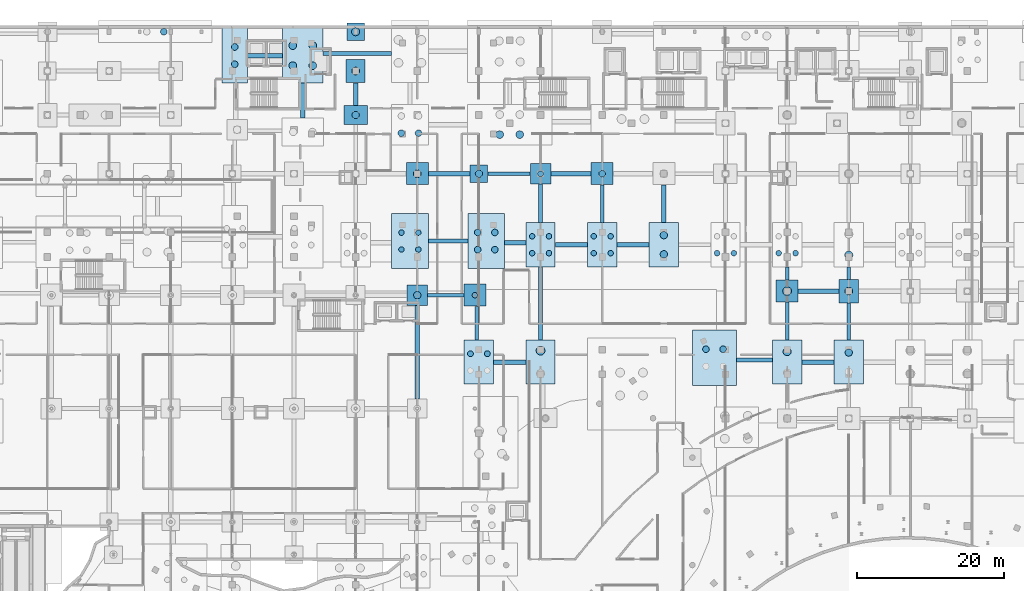
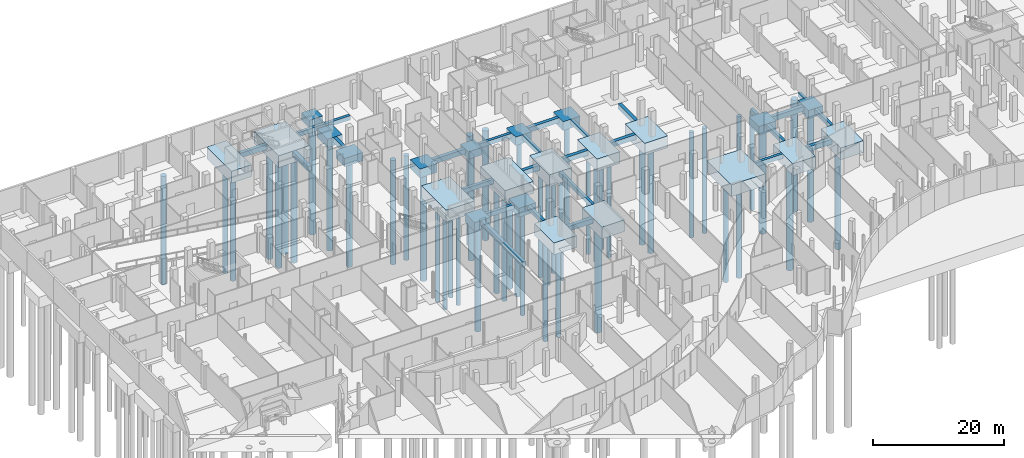
# One storey, part 5 of 45: 52 piles, 49 footings.
"""IFC4 building model written with IfcOpenShell, lengths in metres."""

from ifc_helpers import new_model, si_unit, direction, frame, origin, origin_2d, place, context, subcontext, project, spatial, rectangle, circle, extrude, material, material_profile, profile_set, type_object, element, save


model = new_model("IFC4")

# Units and contexts
model_context = context("Model", 3, precision=1e-05, world=origin(), true_north=direction((0.0, 1.0)))
body_context = subcontext(model_context, "Body", "Model", "MODEL_VIEW")
ifc_project = project(units=[si_unit("LENGTHUNIT", "METRE"), si_unit("AREAUNIT", "SQUARE_METRE"), si_unit("VOLUMEUNIT", "CUBIC_METRE"), si_unit("PLANEANGLEUNIT", "RADIAN"), si_unit("MASSUNIT", "GRAM", prefix="KILO")], contexts=[model_context])

# Site, building, storey
site_placement = place(None, origin())
site = spatial("IfcSite", under=ifc_project, at=site_placement, CompositionType="ELEMENT")
building_placement = place(site_placement, origin())
building = spatial("IfcBuilding", under=site, at=building_placement, Name="Selatvlak General Hospital", CompositionType="ELEMENT")
storey_placement = place(building_placement, frame((0.0, 0.0, -4.800048828125)))
storey = spatial("IfcBuildingStorey", under=building, at=storey_placement, Name="B1", CompositionType="ELEMENT", Elevation=-4.800048828125)

# Footings
ifc_material_1 = material(Name="Concrete C40/50", Category="concrete")
footing_type_1 = type_object("IfcFootingType", Name="FTG-PC-01", PredefinedType="PILE_CAP", material=ifc_material_1)
for number, where, z_axis, x_axis, name in (
    (1, (64.800048828125, 119.35009765625, -1.39990234375), (0.0, 0.0, 1.0), (1.0, 0.0, 0.0), "Pile cap CAP-078"),
    (2, (81.60009765625, 100.0, -1.39990234375), (0.0, 0.0, 1.0), (1.0, 0.0, 0.0), "Pile cap CAP-096"),
):
    element("IfcFooting", number, at=place(storey_placement, frame(where, z_axis=z_axis, x_axis=x_axis)), inside=storey, type_object=footing_type_1, Name=name, PredefinedType="PILE_CAP", context=body_context, shape_type="SweptSolid", body=[
        extrude(rectangle(XDim=2.39990234375, YDim=2.39990234375, at=origin_2d()), origin(), (0.0, 0.0, 1.0), 1.39990234375),
    ])
footing_type_2 = type_object("IfcFootingType", Name="FTG-PC-03", PredefinedType="PILE_CAP", material=ifc_material_1)
for number, where, z_axis, x_axis, name in (
    (3, (73.199951171875, 83.449951171875, -1.60009765625), (0.0, 0.0, 1.0), (1.0, 0.0, 0.0), "Pile cap CAP-086"),
    (4, (90.0, 100.0, -1.60009765625), (0.0, 0.0, 1.0), (1.0, 0.0, 0.0), "Pile cap CAP-104"),
):
    element("IfcFooting", number, at=place(storey_placement, frame(where, z_axis=z_axis, x_axis=x_axis)), inside=storey, type_object=footing_type_2, Name=name, PredefinedType="PILE_CAP", context=body_context, shape_type="SweptSolid", body=[
        extrude(rectangle(XDim=2.800048828125, YDim=2.800048828125, at=origin_2d()), origin(), (0.0, 0.0, 1.0), 1.60009765625),
    ])
footing_type_3 = type_object("IfcFootingType", Name="FTG-PC-04", PredefinedType="PILE_CAP", material=ifc_material_1)
for number, where, z_axis, x_axis, name in (
    (5, (73.199951171875, 100.0, -1.64990234375), (0.0, 0.0, 1.0), (1.0, 0.0, 0.0), "Pile cap CAP-087"),
    (6, (81.050048828125, 83.449951171875, -1.64990234375), (0.0, 0.0, 1.0), (1.0, 0.0, 0.0), "Pile cap CAP-093"),
    (7, (98.39990234375, 100.0, -1.64990234375), (0.0, 0.0, 1.0), (1.0, 0.0, 0.0), "Pile cap CAP-111"),
    (8, (123.60009765625, 84.0, -1.64990234375), (0.0, 0.0, 1.0), (1.0, 0.0, 0.0), "Pile cap CAP-129"),
):
    element("IfcFooting", number, at=place(storey_placement, frame(where, z_axis=z_axis, x_axis=x_axis)), inside=storey, type_object=footing_type_3, Name=name, PredefinedType="PILE_CAP", context=body_context, shape_type="SweptSolid", body=[
        extrude(rectangle(XDim=3.0, YDim=3.0, at=origin_2d()), origin(), (0.0, 0.0, 1.0), 1.64990234375),
    ])
footing_type_4 = type_object("IfcFootingType", Name="FTG-PC-05", PredefinedType="PILE_CAP", material=ifc_material_1)
footing_1_placement = place(storey_placement, frame((64.800048828125, 108.0, -1.5498046875), z_axis=(0.0, 0.0, 1.0), x_axis=(1.0, 0.0, 0.0)))
element("IfcFooting", 9, at=footing_1_placement, inside=storey, type_object=footing_type_4, Name="Pile cap CAP-076", PredefinedType="PILE_CAP", context=body_context, shape_type="SweptSolid", body=[
    extrude(rectangle(XDim=3.199951171875, YDim=2.60009765625, at=origin_2d()), origin(), (0.0, 0.0, 1.0), 1.550048828125),
])
footing_type_5 = type_object("IfcFootingType", Name="FTG-PC-06", PredefinedType="PILE_CAP", material=ifc_material_1)
for number, where, z_axis, x_axis, name in (
    (10, (64.800048828125, 114.0, -1.5498046875), (0.0, 0.0, 1.0), (1.0, 0.0, 0.0), "Pile cap CAP-077"),
    (11, (132.0, 84.0, -1.5498046875), (0.0, 0.0, 1.0), (1.0, 0.0, 0.0), "Pile cap CAP-137"),
):
    element("IfcFooting", number, at=place(storey_placement, frame(where, z_axis=z_axis, x_axis=x_axis)), inside=storey, type_object=footing_type_5, Name=name, PredefinedType="PILE_CAP", context=body_context, shape_type="SweptSolid", body=[
        extrude(rectangle(XDim=2.60009765625, YDim=3.199951171875, at=origin_2d()), origin(), (0.0, 0.0, 1.0), 1.550048828125),
    ])
footing_type_6 = type_object("IfcFootingType", Name="FTG-PC-20", PredefinedType="PILE_CAP", material=ifc_material_1)
for number, where, z_axis, x_axis, name in (
    (12, (81.60009765625, 74.324951171875, -2.19970703125), (0.0, 0.0, 1.0), (1.0, 0.0, 0.0), "Pile cap CAP-094"),
    (13, (90.0, 74.324951171875, -2.19970703125), (0.0, 0.0, 1.0), (1.0, 0.0, 0.0), "Pile cap CAP-102"),
    (14, (90.0, 90.324951171875, -2.19970703125), (0.0, 0.0, 1.0), (1.0, 0.0, 0.0), "Pile cap CAP-103"),
    (15, (98.39990234375, 90.324951171875, -2.19970703125), (0.0, 0.0, 1.0), (1.0, 0.0, 0.0), "Pile cap CAP-110"),
    (16, (106.800048828125, 90.324951171875, -2.19970703125), (0.0, 0.0, 1.0), (1.0, 0.0, 0.0), "Pile cap CAP-116"),
    (17, (123.60009765625, 74.324951171875, -2.19970703125), (0.0, 0.0, 1.0), (1.0, 0.0, 0.0), "Pile cap CAP-128"),
    (18, (132.0, 74.324951171875, -2.19970703125), (0.0, 0.0, 1.0), (1.0, 0.0, 0.0), "Pile cap CAP-136"),
):
    element("IfcFooting", number, at=place(storey_placement, frame(where, z_axis=z_axis, x_axis=x_axis)), inside=storey, type_object=footing_type_6, Name=name, PredefinedType="PILE_CAP", context=body_context, shape_type="SweptSolid", body=[
        extrude(rectangle(XDim=4.0, YDim=6.0, at=origin_2d()), origin(), (0.0, 0.0, 1.0), 2.199951171875),
    ])
footing_type_7 = type_object("IfcFootingType", Name="FTG-PC-M121", PredefinedType="PILE_CAP", material=ifc_material_1)
footing_2_placement = place(storey_placement, frame((113.7109375, 74.922119140625, -2.19970703125), z_axis=(0.0, 0.0, 1.0), x_axis=(1.0, 0.0, 0.0)))
element("IfcFooting", 19, at=footing_2_placement, inside=storey, type_object=footing_type_7, Name="Pile cap CAP-121", PredefinedType="PILE_CAP", context=body_context, shape_type="SweptSolid", body=[
    extrude(rectangle(XDim=6.0, YDim=7.5, at=origin_2d()), origin(), (0.0, 0.0, 1.0), 2.199951171875),
])
footing_type_8 = type_object("IfcFootingType", Name="FTG-PC-M55", PredefinedType="PILE_CAP", material=ifc_material_1)
footing_3_placement = place(storey_placement, frame((48.324951171875, 116.10009765625, -2.19970703125), z_axis=(0.0, 0.0, 1.0), x_axis=(1.0, 0.0, 0.0)))
element("IfcFooting", 20, at=footing_3_placement, inside=storey, type_object=footing_type_8, Name="Pile cap CAP-055", PredefinedType="PILE_CAP", context=body_context, shape_type="SweptSolid", body=[
    extrude(rectangle(XDim=3.5, YDim=7.5, at=origin_2d()), origin(), (0.0, 0.0, 1.0), 2.199951171875),
])
footing_type_9 = type_object("IfcFootingType", Name="FTG-PC-M67", PredefinedType="PILE_CAP", material=ifc_material_1)
footing_4_placement = place(storey_placement, frame((57.60009765625, 116.10009765625, -2.19970703125), z_axis=(0.0, 0.0, 1.0), x_axis=(1.0, 0.0, 0.0)))
element("IfcFooting", 21, at=footing_4_placement, inside=storey, type_object=footing_type_9, Name="Pile cap CAP-067", PredefinedType="PILE_CAP", context=body_context, shape_type="SweptSolid", body=[
    extrude(rectangle(XDim=5.5, YDim=7.5, at=origin_2d()), origin(), (0.0, 0.0, 1.0), 2.199951171875),
])
footing_type_10 = type_object("IfcFootingType", Name="FTG-PC-M80", PredefinedType="PILE_CAP", material=ifc_material_1)
footing_5_placement = place(storey_placement, frame((72.199951171875, 90.824951171875, -2.19970703125), z_axis=(0.0, 0.0, 1.0), x_axis=(1.0, 0.0, 0.0)))
element("IfcFooting", 22, at=footing_5_placement, inside=storey, type_object=footing_type_10, Name="Pile cap CAP-080", PredefinedType="PILE_CAP", context=body_context, shape_type="SweptSolid", body=[
    extrude(rectangle(XDim=5.0, YDim=7.5, at=origin_2d()), origin(), (0.0, 0.0, 1.0), 2.199951171875),
])
footing_type_11 = type_object("IfcFootingType", Name="FTG-PC-M95", PredefinedType="PILE_CAP", material=ifc_material_1)
footing_6_placement = place(storey_placement, frame((82.60009765625, 90.824951171875, -2.19970703125), z_axis=(0.0, 0.0, 1.0), x_axis=(1.0, 0.0, 0.0)))
element("IfcFooting", 23, at=footing_6_placement, inside=storey, type_object=footing_type_11, Name="Pile cap CAP-095", PredefinedType="PILE_CAP", context=body_context, shape_type="SweptSolid", body=[
    extrude(rectangle(XDim=5.0, YDim=7.5, at=origin_2d()), origin(), (0.0, 0.0, 1.0), 2.199951171875),
])
ifc_material_2 = material(Name="Concrete C35/45", Category="concrete")
footing_type_12 = type_object("IfcFootingType", Name="FTG-TB-02", PredefinedType="FOOTING_BEAM", material=ifc_material_2)
footing_7_placement = place(storey_placement, frame((85.699951171875, 100.0, -0.7998046875), z_axis=(0.0, 0.0, 1.0), x_axis=(1.0, 0.0, 0.0)))
element("IfcFooting", 24, at=footing_7_placement, inside=storey, type_object=footing_type_12, Name="Foundation tie beam TBF-104", PredefinedType="FOOTING_BEAM", context=body_context, shape_type="SweptSolid", body=[
    extrude(rectangle(XDim=5.780029296875, YDim=0.5, at=origin_2d()), origin(), (0.0, 0.0, 1.0), 0.800048828125),
])
footing_type_13 = type_object("IfcFootingType", Name="FTG-TB-24", PredefinedType="FOOTING_BEAM", material=ifc_material_2)
footing_8_placement = place(storey_placement, frame((127.89990234375, 84.0, -0.89990234375), z_axis=(0.0, 0.0, 1.0), x_axis=(1.0, 0.0, 0.0)))
element("IfcFooting", 25, at=footing_8_placement, inside=storey, type_object=footing_type_13, Name="Foundation tie beam TBF-133", PredefinedType="FOOTING_BEAM", context=body_context, shape_type="SweptSolid", body=[
    extrude(rectangle(XDim=5.580078125, YDim=0.60009765625, at=origin_2d()), origin(), (0.0, 0.0, 1.0), 0.89990234375),
])
footing_type_14 = type_object("IfcFootingType", Name="FTG-TB-29", PredefinedType="FOOTING_BEAM", material=ifc_material_2)
footing_9_placement = place(storey_placement, frame((77.074951171875, 83.449951171875, -0.7998046875), z_axis=(0.0, 0.0, 1.0), x_axis=(1.0, 0.0, 0.0)))
element("IfcFooting", 26, at=footing_9_placement, inside=storey, type_object=footing_type_14, Name="Foundation tie beam TBF-098", PredefinedType="FOOTING_BEAM", context=body_context, shape_type="SweptSolid", body=[
    extrude(rectangle(XDim=4.929931640625, YDim=0.5, at=origin_2d()), origin(), (0.0, 0.0, 1.0), 0.800048828125),
])
footing_type_15 = type_object("IfcFootingType", Name="FTG-TB-33", PredefinedType="FOOTING_BEAM", material=ifc_material_2)
footing_10_placement = place(storey_placement, frame((73.199951171875, 75.675048828125, -0.89990234375), z_axis=(0.0, 0.0, 1.0), x_axis=(0.0, 1.0, 0.0)))
element("IfcFooting", 27, at=footing_10_placement, inside=storey, type_object=footing_type_15, Name="Foundation tie beam TBF-097", PredefinedType="FOOTING_BEAM", context=body_context, shape_type="SweptSolid", body=[
    extrude(rectangle(XDim=12.72998046875, YDim=0.60009765625, at=origin_2d()), origin(), (0.0, 0.0, 1.0), 0.89990234375),
])
footing_type_16 = type_object("IfcFootingType", Name="FTG-TB-40", PredefinedType="FOOTING_BEAM", material=ifc_material_2)
footing_11_placement = place(storey_placement, frame((77.39990234375, 90.824951171875, -0.7998046875), z_axis=(0.0, 0.0, 1.0), x_axis=(1.0, 0.0, 0.0)))
element("IfcFooting", 28, at=footing_11_placement, inside=storey, type_object=footing_type_16, Name="Foundation tie beam TBF-090", PredefinedType="FOOTING_BEAM", context=body_context, shape_type="SweptSolid", body=[
    extrude(rectangle(XDim=5.3798828125, YDim=0.5, at=origin_2d()), origin(), (0.0, 0.0, 1.0), 0.800048828125),
])
footing_type_17 = type_object("IfcFootingType", Name="FTG-TB-43", PredefinedType="FOOTING_BEAM", material=ifc_material_2)
footing_12_placement = place(storey_placement, frame((77.550048828125, 100.0, -0.89990234375), z_axis=(0.0, 0.0, 1.0), x_axis=(1.0, 0.0, 0.0)))
element("IfcFooting", 29, at=footing_12_placement, inside=storey, type_object=footing_type_17, Name="Foundation tie beam TBF-099", PredefinedType="FOOTING_BEAM", context=body_context, shape_type="SweptSolid", body=[
    extrude(rectangle(XDim=5.679931640625, YDim=0.60009765625, at=origin_2d()), origin(), (0.0, 0.0, 1.0), 0.89990234375),
])
footing_type_18 = type_object("IfcFootingType", Name="FTG-TB-45", PredefinedType="FOOTING_BEAM", material=ifc_material_2)
footing_13_placement = place(storey_placement, frame((94.14990234375, 100.0, -0.89990234375), z_axis=(0.0, 0.0, 1.0), x_axis=(1.0, 0.0, 0.0)))
element("IfcFooting", 30, at=footing_13_placement, inside=storey, type_object=footing_type_18, Name="Foundation tie beam TBF-111", PredefinedType="FOOTING_BEAM", context=body_context, shape_type="SweptSolid", body=[
    extrude(rectangle(XDim=5.47998046875, YDim=0.60009765625, at=origin_2d()), origin(), (0.0, 0.0, 1.0), 0.89990234375),
])
footing_type_19 = type_object("IfcFootingType", Name="FTG-TB-49", PredefinedType="FOOTING_BEAM", material=ifc_material_2)
footing_14_placement = place(storey_placement, frame((52.462890625, 116.10009765625, -0.89990234375), z_axis=(0.0, 0.0, 1.0), x_axis=(1.0, 0.0, 0.0)))
element("IfcFooting", 31, at=footing_14_placement, inside=storey, type_object=footing_type_19, Name="Foundation tie beam TBF-063", PredefinedType="FOOTING_BEAM", context=body_context, shape_type="SweptSolid", body=[
    extrude(rectangle(XDim=4.7548828125, YDim=0.60009765625, at=origin_2d()), origin(), (0.0, 0.0, 1.0), 0.89990234375),
])
footing_type_20 = type_object("IfcFootingType", Name="FTG-TB-62", PredefinedType="FOOTING_BEAM", material=ifc_material_2)
footing_15_placement = place(storey_placement, frame((57.60009765625, 109.97509765625, -0.89990234375), z_axis=(0.0, 0.0, 1.0), x_axis=(0.0, 1.0, 0.0)))
element("IfcFooting", 32, at=footing_15_placement, inside=storey, type_object=footing_type_20, Name="Foundation tie beam TBF-077", PredefinedType="FOOTING_BEAM", context=body_context, shape_type="SweptSolid", body=[
    extrude(rectangle(XDim=4.72998046875, YDim=0.60009765625, at=origin_2d()), origin(), (0.0, 0.0, 1.0), 0.89990234375),
])
footing_type_21 = type_object("IfcFootingType", Name="FTG-TB-63", PredefinedType="FOOTING_BEAM", material=ifc_material_2)
footing_16_placement = place(storey_placement, frame((65.02490234375, 116.386962890625, -0.7998046875), z_axis=(0.0, 0.0, 1.0), x_axis=(1.0, 0.0, 0.0)))
element("IfcFooting", 33, at=footing_16_placement, inside=storey, type_object=footing_type_21, Name="Foundation tie beam TBF-078", PredefinedType="FOOTING_BEAM", context=body_context, shape_type="SweptSolid", body=[
    extrude(rectangle(XDim=9.330078125, YDim=0.5, at=origin_2d()), origin(), (0.0, 0.0, 1.0), 0.800048828125),
])
footing_type_22 = type_object("IfcFootingType", Name="FTG-TB-66", PredefinedType="FOOTING_BEAM", material=ifc_material_2)
footing_17_placement = place(storey_placement, frame((86.550048828125, 90.574951171875, -0.89990234375), z_axis=(0.0, 0.0, 1.0), x_axis=(1.0, 0.0, 0.0)))
element("IfcFooting", 34, at=footing_17_placement, inside=storey, type_object=footing_type_22, Name="Foundation tie beam TBF-103", PredefinedType="FOOTING_BEAM", context=body_context, shape_type="SweptSolid", body=[
    extrude(rectangle(XDim=2.8798828125, YDim=0.60009765625, at=origin_2d()), origin(), (0.0, 0.0, 1.0), 0.89990234375),
])
footing_type_23 = type_object("IfcFootingType", Name="FTG-TB-67", PredefinedType="FOOTING_BEAM", material=ifc_material_2)
for number, where, z_axis, x_axis, name in (
    (35, (98.39990234375, 95.912109375, -0.7998046875), (0.0, 0.0, 1.0), (0.0, 1.0, 0.0), "Foundation tie beam TBF-114"),
    (36, (123.60009765625, 79.912109375, -0.7998046875), (0.0, 0.0, 1.0), (0.0, 1.0, 0.0), "Foundation tie beam TBF-132"),
):
    element("IfcFooting", number, at=place(storey_placement, frame(where, z_axis=z_axis, x_axis=x_axis)), inside=storey, type_object=footing_type_23, Name=name, PredefinedType="FOOTING_BEAM", context=body_context, shape_type="SweptSolid", body=[
        extrude(rectangle(XDim=5.155029296875, YDim=0.5, at=origin_2d()), origin(), (0.0, 0.0, 1.0), 0.800048828125),
    ])
footing_type_24 = type_object("IfcFootingType", Name="FTG-TB-70", PredefinedType="FOOTING_BEAM", material=ifc_material_2)
footing_18_placement = place(storey_placement, frame((64.800048828125, 110.85009765625, -0.89990234375), z_axis=(0.0, 0.0, 1.0), x_axis=(0.0, 1.0, 0.0)))
element("IfcFooting", 37, at=footing_18_placement, inside=storey, type_object=footing_type_24, Name="Foundation tie beam TBF-089", PredefinedType="FOOTING_BEAM", context=body_context, shape_type="SweptSolid", body=[
    extrude(rectangle(XDim=3.080078125, YDim=0.60009765625, at=origin_2d()), origin(), (0.0, 0.0, 1.0), 0.89990234375),
])
footing_type_25 = type_object("IfcFootingType", Name="FTG-TB-75", PredefinedType="FOOTING_BEAM", material=ifc_material_2)
for number, where, z_axis, x_axis, name in (
    (38, (85.800048828125, 74.324951171875, -0.89990234375), (0.0, 0.0, 1.0), (1.0, 0.0, 0.0), "Foundation tie beam TBF-101"),
    (39, (94.199951171875, 90.324951171875, -0.89990234375), (0.0, 0.0, 1.0), (1.0, 0.0, 0.0), "Foundation tie beam TBF-109"),
    (40, (102.60009765625, 90.324951171875, -0.89990234375), (0.0, 0.0, 1.0), (1.0, 0.0, 0.0), "Foundation tie beam TBF-113"),
    (41, (127.800048828125, 74.324951171875, -0.89990234375), (0.0, 0.0, 1.0), (1.0, 0.0, 0.0), "Foundation tie beam TBF-131"),
):
    element("IfcFooting", number, at=place(storey_placement, frame(where, z_axis=z_axis, x_axis=x_axis)), inside=storey, type_object=footing_type_25, Name=name, PredefinedType="FOOTING_BEAM", context=body_context, shape_type="SweptSolid", body=[
        extrude(rectangle(XDim=4.3798828125, YDim=0.60009765625, at=origin_2d()), origin(), (0.0, 0.0, 1.0), 0.89990234375),
    ])
footing_type_26 = type_object("IfcFootingType", Name="FTG-TB-76", PredefinedType="FOOTING_BEAM", material=ifc_material_2)
footing_19_placement = place(storey_placement, frame((81.324951171875, 79.637939453125, -0.7998046875), z_axis=(0.0, 0.0, 1.0), x_axis=(0.0, 1.0, 0.0)))
element("IfcFooting", 42, at=footing_19_placement, inside=storey, type_object=footing_type_26, Name="Foundation tie beam TBF-102", PredefinedType="FOOTING_BEAM", context=body_context, shape_type="SweptSolid", body=[
    extrude(rectangle(XDim=4.60498046875, YDim=0.5, at=origin_2d()), origin(), (0.0, 0.0, 1.0), 0.800048828125),
])
footing_type_27 = type_object("IfcFootingType", Name="FTG-TB-78", PredefinedType="FOOTING_BEAM", material=ifc_material_2)
footing_20_placement = place(storey_placement, frame((90.0, 82.324951171875, -0.7998046875), z_axis=(0.0, 0.0, 1.0), x_axis=(0.0, 1.0, 0.0)))
element("IfcFooting", 43, at=footing_20_placement, inside=storey, type_object=footing_type_27, Name="Foundation tie beam TBF-108", PredefinedType="FOOTING_BEAM", context=body_context, shape_type="SweptSolid", body=[
    extrude(rectangle(XDim=9.97998046875, YDim=0.5, at=origin_2d()), origin(), (0.0, 0.0, 1.0), 0.800048828125),
])
footing_type_28 = type_object("IfcFootingType", Name="FTG-TB-79", PredefinedType="FOOTING_BEAM", material=ifc_material_2)
footing_21_placement = place(storey_placement, frame((90.0, 95.962890625, -0.7998046875), z_axis=(0.0, 0.0, 1.0), x_axis=(0.0, 1.0, 0.0)))
element("IfcFooting", 44, at=footing_21_placement, inside=storey, type_object=footing_type_28, Name="Foundation tie beam TBF-110", PredefinedType="FOOTING_BEAM", context=body_context, shape_type="SweptSolid", body=[
    extrude(rectangle(XDim=5.2548828125, YDim=0.5, at=origin_2d()), origin(), (0.0, 0.0, 1.0), 0.800048828125),
])
footing_type_29 = type_object("IfcFootingType", Name="FTG-TB-83", PredefinedType="FOOTING_BEAM", material=ifc_material_2)
footing_22_placement = place(storey_placement, frame((106.800048828125, 95.912109375, -0.89990234375), z_axis=(0.0, 0.0, 1.0), x_axis=(0.0, 1.0, 0.0)))
element("IfcFooting", 45, at=footing_22_placement, inside=storey, type_object=footing_type_29, Name="Foundation tie beam TBF-119", PredefinedType="FOOTING_BEAM", context=body_context, shape_type="SweptSolid", body=[
    extrude(rectangle(XDim=5.155029296875, YDim=0.60009765625, at=origin_2d()), origin(), (0.0, 0.0, 1.0), 0.89990234375),
])
footing_type_30 = type_object("IfcFootingType", Name="FTG-TB-85", PredefinedType="FOOTING_BEAM", material=ifc_material_2)
footing_23_placement = place(storey_placement, frame((119.155029296875, 74.6240234375, -0.7998046875), z_axis=(0.0, 0.0, 1.0), x_axis=(1.0, 0.0, 0.0)))
element("IfcFooting", 46, at=footing_23_placement, inside=storey, type_object=footing_type_30, Name="Foundation tie beam TBF-122", PredefinedType="FOOTING_BEAM", context=body_context, shape_type="SweptSolid", body=[
    extrude(rectangle(XDim=4.868896484375, YDim=0.5, at=origin_2d()), origin(), (0.0, 0.0, 1.0), 0.800048828125),
])
footing_type_31 = type_object("IfcFootingType", Name="FTG-TB-88", PredefinedType="FOOTING_BEAM", material=ifc_material_2)
footing_24_placement = place(storey_placement, frame((123.60009765625, 86.412109375, -0.7998046875), z_axis=(0.0, 0.0, 1.0), x_axis=(0.0, 1.0, 0.0)))
element("IfcFooting", 47, at=footing_24_placement, inside=storey, type_object=footing_type_31, Name="Foundation tie beam TBF-134", PredefinedType="FOOTING_BEAM", context=body_context, shape_type="SweptSolid", body=[
    extrude(rectangle(XDim=1.804931640625, YDim=0.5, at=origin_2d()), origin(), (0.0, 0.0, 1.0), 0.800048828125),
])
footing_type_32 = type_object("IfcFootingType", Name="FTG-TB-89", PredefinedType="FOOTING_BEAM", material=ifc_material_2)
footing_25_placement = place(storey_placement, frame((132.0, 79.863037109375, -0.7998046875), z_axis=(0.0, 0.0, 1.0), x_axis=(0.0, 1.0, 0.0)))
element("IfcFooting", 48, at=footing_25_placement, inside=storey, type_object=footing_type_32, Name="Foundation tie beam TBF-144", PredefinedType="FOOTING_BEAM", context=body_context, shape_type="SweptSolid", body=[
    extrude(rectangle(XDim=5.054931640625, YDim=0.5, at=origin_2d()), origin(), (0.0, 0.0, 1.0), 0.800048828125),
])
footing_type_33 = type_object("IfcFootingType", Name="FTG-TB-93", PredefinedType="FOOTING_BEAM", material=ifc_material_2)
footing_26_placement = place(storey_placement, frame((132.0, 86.462890625, -0.7998046875), z_axis=(0.0, 0.0, 1.0), x_axis=(0.0, 1.0, 0.0)))
element("IfcFooting", 49, at=footing_26_placement, inside=storey, type_object=footing_type_33, Name="Foundation tie beam TBF-146", PredefinedType="FOOTING_BEAM", context=body_context, shape_type="SweptSolid", body=[
    extrude(rectangle(XDim=1.705078125, YDim=0.5, at=origin_2d()), origin(), (0.0, 0.0, 1.0), 0.800048828125),
])

# Piles
ifc_material_profile_1 = material_profile(ifc_material_1, circle(Radius=0.375, at=origin_2d()), Name="BORED PILE 750")
ifc_profile_set_1 = profile_set([ifc_material_profile_1], Name="Concrete C40/50")
pile_type_1 = type_object("IfcPileType", Name="PILE-BP-01", PredefinedType="BORED", material=ifc_profile_set_1)
for number, where, z_axis, x_axis, name in (
    (50, (71.050048828125, 89.675048828125, -2.099853515625), (0.0, 0.0, -1.0), (1.0, 0.0, 0.0), "Bored pile PLF-0141"),
    (51, (71.050048828125, 91.97509765625, -2.099853515625), (0.0, 0.0, -1.0), (1.0, 0.0, 0.0), "Bored pile PLF-0142"),
    (52, (73.35009765625, 89.675048828125, -2.099853515625), (0.0, 0.0, -1.0), (1.0, 0.0, 0.0), "Bored pile PLF-0143"),
    (53, (73.35009765625, 91.97509765625, -2.099853515625), (0.0, 0.0, -1.0), (1.0, 0.0, 0.0), "Bored pile PLF-0144"),
    (54, (97.25, 89.175048828125, -2.099853515625), (0.0, 0.0, -1.0), (1.0, 0.0, 0.0), "Bored pile PLF-0209"),
    (55, (97.25, 91.47509765625, -2.099853515625), (0.0, 0.0, -1.0), (1.0, 0.0, 0.0), "Bored pile PLF-0210"),
    (56, (99.550048828125, 89.175048828125, -2.099853515625), (0.0, 0.0, -1.0), (1.0, 0.0, 0.0), "Bored pile PLF-0211"),
    (57, (99.550048828125, 91.47509765625, -2.099853515625), (0.0, 0.0, -1.0), (1.0, 0.0, 0.0), "Bored pile PLF-0212"),
    (58, (122.449951171875, 89.175048828125, -2.099853515625), (0.0, 0.0, -1.0), (1.0, 0.0, 0.0), "Bored pile PLF-0249"),
    (59, (124.75, 89.175048828125, -2.099853515625), (0.0, 0.0, -1.0), (1.0, 0.0, 0.0), "Bored pile PLF-0251"),
):
    element("IfcPile", number, at=place(storey_placement, frame(where, z_axis=z_axis, x_axis=x_axis)), inside=storey, type_object=pile_type_1, Name=name, PredefinedType="BORED", context=body_context, shape_type="SweptSolid", body=[
        extrude(circle(Radius=0.375, at=origin_2d()), origin(), (0.0, 0.0, 1.0), 18.199951171875),
    ])
ifc_material_profile_2 = material_profile(ifc_material_1, circle(Radius=0.449951171875, at=origin_2d()), Name="BORED PILE 900")
ifc_profile_set_2 = profile_set([ifc_material_profile_2], Name="Concrete C40/50")
pile_type_2 = type_object("IfcPileType", Name="PILE-BP-02", PredefinedType="BORED", material=ifc_profile_set_2)
for number, where, z_axis, x_axis, name in (
    (60, (71.030029296875, 105.530029296875, -2.099853515625), (0.0, 0.0, -1.0), (1.0, 0.0, 0.0), "Bored pile PLF-0145"),
    (61, (73.3701171875, 105.530029296875, -2.099853515625), (0.0, 0.0, -1.0), (1.0, 0.0, 0.0), "Bored pile PLF-0147"),
    (62, (98.39990234375, 100.0, -1.550048828125), (0.0, 0.0, -1.0), (1.0, 0.0, 0.0), "Bored pile PLF-0213"),
    (63, (112.541015625, 76.092041015625, -2.099853515625), (0.0, 0.0, -1.0), (1.0, 0.0, 0.0), "Bored pile PLF-0231"),
    (64, (114.881103515625, 76.092041015625, -2.099853515625), (0.0, 0.0, -1.0), (1.0, 0.0, 0.0), "Bored pile PLF-0233"),
):
    element("IfcPile", number, at=place(storey_placement, frame(where, z_axis=z_axis, x_axis=x_axis)), inside=storey, type_object=pile_type_2, Name=name, PredefinedType="BORED", context=body_context, shape_type="SweptSolid", body=[
        extrude(circle(Radius=0.449951171875, at=origin_2d()), origin(), (0.0, 0.0, 1.0), 19.39990234375),
    ])
ifc_material_profile_3 = material_profile(ifc_material_1, circle(Radius=0.60009765625, at=origin_2d()), Name="BORED PILE 1200")
ifc_profile_set_3 = profile_set([ifc_material_profile_3], Name="Concrete C40/50")
pile_type_3 = type_object("IfcPileType", Name="PILE-BP-03", PredefinedType="BORED", material=ifc_profile_set_3)
pile_1_placement = place(storey_placement, frame((90.0, 75.885009765625, -2.099853515625), z_axis=(0.0, 0.0, -1.0), x_axis=(1.0, 0.0, 0.0)))
element("IfcPile", 65, at=pile_1_placement, inside=storey, type_object=pile_type_3, Name="Bored pile PLF-0195", PredefinedType="BORED", context=body_context, shape_type="SweptSolid", body=[
    extrude(circle(Radius=0.60009765625, at=origin_2d()), origin(), (0.0, 0.0, 1.0), 20.60009765625),
])
ifc_material_profile_4 = material_profile(ifc_material_1, circle(Radius=0.375, at=origin_2d()), Name="BORED PILE 750")
ifc_profile_set_4 = profile_set([ifc_material_profile_4], Name="Concrete C40/50")
pile_type_4 = type_object("IfcPileType", Name="PILE-BP-04", PredefinedType="BORED", material=ifc_profile_set_4)
for number, where, z_axis, x_axis, name in (
    (66, (81.050048828125, 83.449951171875, -1.550048828125), (0.0, 0.0, -1.0), (1.0, 0.0, 0.0), "Bored pile PLF-0173"),
    (67, (88.85009765625, 89.175048828125, -2.099853515625), (0.0, 0.0, -1.0), (1.0, 0.0, 0.0), "Bored pile PLF-0196"),
    (68, (88.85009765625, 91.47509765625, -2.099853515625), (0.0, 0.0, -1.0), (1.0, 0.0, 0.0), "Bored pile PLF-0197"),
    (69, (91.14990234375, 89.175048828125, -2.099853515625), (0.0, 0.0, -1.0), (1.0, 0.0, 0.0), "Bored pile PLF-0198"),
    (70, (91.14990234375, 91.47509765625, -2.099853515625), (0.0, 0.0, -1.0), (1.0, 0.0, 0.0), "Bored pile PLF-0199"),
    (71, (114.050048828125, 89.175048828125, -2.099853515625), (0.0, 0.0, -1.0), (1.0, 0.0, 0.0), "Bored pile PLF-0238"),
    (72, (116.35009765625, 89.175048828125, -2.099853515625), (0.0, 0.0, -1.0), (1.0, 0.0, 0.0), "Bored pile PLF-0240"),
):
    element("IfcPile", number, at=place(storey_placement, frame(where, z_axis=z_axis, x_axis=x_axis)), inside=storey, type_object=pile_type_4, Name=name, PredefinedType="BORED", context=body_context, shape_type="SweptSolid", body=[
        extrude(circle(Radius=0.375, at=origin_2d()), origin(), (0.0, 0.0, 1.0), 19.60009765625),
    ])
ifc_material_profile_5 = material_profile(ifc_material_1, circle(Radius=0.39990234375, at=origin_2d()), Name="BORED PILE 800")
ifc_profile_set_5 = profile_set([ifc_material_profile_5], Name="Concrete C40/50")
pile_type_5 = type_object("IfcPileType", Name="PILE-BP-05", PredefinedType="BORED", material=ifc_profile_set_5)
for number, where, z_axis, x_axis, name in (
    (73, (80.449951171875, 75.47509765625, -2.099853515625), (0.0, 0.0, -1.0), (1.0, 0.0, 0.0), "Bored pile PLF-0175"),
    (74, (82.75, 75.47509765625, -2.099853515625), (0.0, 0.0, -1.0), (1.0, 0.0, 0.0), "Bored pile PLF-0177"),
    (75, (90.0, 100.0, -1.5), (0.0, 0.0, -1.0), (1.0, 0.0, 0.0), "Bored pile PLF-0200"),
):
    element("IfcPile", number, at=place(storey_placement, frame(where, z_axis=z_axis, x_axis=x_axis)), inside=storey, type_object=pile_type_5, Name=name, PredefinedType="BORED", context=body_context, shape_type="SweptSolid", body=[
        extrude(circle(Radius=0.39990234375, at=origin_2d()), origin(), (0.0, 0.0, 1.0), 18.800048828125),
    ])
ifc_material_profile_6 = material_profile(ifc_material_1, circle(Radius=0.449951171875, at=origin_2d()), Name="BORED PILE 900")
ifc_profile_set_6 = profile_set([ifc_material_profile_6], Name="Concrete C40/50")
pile_type_6 = type_object("IfcPileType", Name="PILE-BP-06", PredefinedType="BORED", material=ifc_profile_set_6)
for number, where, z_axis, x_axis, name in (
    (76, (38.669921875, 119.35009765625, -2.099853515625), (0.0, 0.0, -1.0), (1.0, 0.0, 0.0), "Bored pile PLF-0071"),
    (77, (48.324951171875, 114.929931640625, -2.099853515625), (0.0, 0.0, -1.0), (1.0, 0.0, 0.0), "Bored pile PLF-0102"),
    (78, (48.324951171875, 117.27001953125, -2.099853515625), (0.0, 0.0, -1.0), (1.0, 0.0, 0.0), "Bored pile PLF-0103"),
    (79, (81.429931640625, 89.655029296875, -2.099853515625), (0.0, 0.0, -1.0), (1.0, 0.0, 0.0), "Bored pile PLF-0178"),
    (80, (81.429931640625, 91.9951171875, -2.099853515625), (0.0, 0.0, -1.0), (1.0, 0.0, 0.0), "Bored pile PLF-0179"),
    (81, (83.77001953125, 89.655029296875, -2.099853515625), (0.0, 0.0, -1.0), (1.0, 0.0, 0.0), "Bored pile PLF-0180"),
    (82, (83.77001953125, 91.9951171875, -2.099853515625), (0.0, 0.0, -1.0), (1.0, 0.0, 0.0), "Bored pile PLF-0181"),
):
    element("IfcPile", number, at=place(storey_placement, frame(where, z_axis=z_axis, x_axis=x_axis)), inside=storey, type_object=pile_type_6, Name=name, PredefinedType="BORED", context=body_context, shape_type="SweptSolid", body=[
        extrude(circle(Radius=0.449951171875, at=origin_2d()), origin(), (0.0, 0.0, 1.0), 20.199951171875),
    ])
ifc_material_profile_7 = material_profile(ifc_material_1, circle(Radius=0.5, at=origin_2d()), Name="BORED PILE 1000")
ifc_profile_set_7 = profile_set([ifc_material_profile_7], Name="Concrete C40/50")
pile_type_7 = type_object("IfcPileType", Name="PILE-BP-07", PredefinedType="BORED", material=ifc_profile_set_7)
for number, where, z_axis, x_axis, name in (
    (83, (64.800048828125, 108.0, -1.449951171875), (0.0, 0.0, -1.0), (1.0, 0.0, 0.0), "Bored pile PLF-0137"),
    (84, (73.199951171875, 83.449951171875, -1.5), (0.0, 0.0, -1.0), (1.0, 0.0, 0.0), "Bored pile PLF-0159"),
    (85, (81.60009765625, 100.0, -1.300048828125), (0.0, 0.0, -1.0), (1.0, 0.0, 0.0), "Bored pile PLF-0182"),
    (86, (106.800048828125, 89.02490234375, -2.099853515625), (0.0, 0.0, -1.0), (1.0, 0.0, 0.0), "Bored pile PLF-0222"),
    (87, (106.800048828125, 91.625, -2.099853515625), (0.0, 0.0, -1.0), (1.0, 0.0, 0.0), "Bored pile PLF-0223"),
    (88, (132.0, 75.625, -2.099853515625), (0.0, 0.0, -1.0), (1.0, 0.0, 0.0), "Bored pile PLF-0259"),
):
    element("IfcPile", number, at=place(storey_placement, frame(where, z_axis=z_axis, x_axis=x_axis)), inside=storey, type_object=pile_type_7, Name=name, PredefinedType="BORED", context=body_context, shape_type="SweptSolid", body=[
        extrude(circle(Radius=0.5, at=origin_2d()), origin(), (0.0, 0.0, 1.0), 19.800048828125),
    ])
ifc_material_profile_8 = material_profile(ifc_material_1, circle(Radius=0.52490234375, at=origin_2d()), Name="BORED PILE 1050")
ifc_profile_set_8 = profile_set([ifc_material_profile_8], Name="Concrete C40/50")
pile_type_8 = type_object("IfcPileType", Name="PILE-BP-08", PredefinedType="BORED", material=ifc_profile_set_8)
for number, where, z_axis, x_axis, name in (
    (89, (56.235107421875, 114.735107421875, -2.099853515625), (0.0, 0.0, -1.0), (1.0, 0.0, 0.0), "Bored pile PLF-0119"),
    (90, (56.235107421875, 117.465087890625, -2.099853515625), (0.0, 0.0, -1.0), (1.0, 0.0, 0.0), "Bored pile PLF-0120"),
    (91, (58.965087890625, 114.735107421875, -2.099853515625), (0.0, 0.0, -1.0), (1.0, 0.0, 0.0), "Bored pile PLF-0121"),
    (92, (58.965087890625, 117.465087890625, -2.099853515625), (0.0, 0.0, -1.0), (1.0, 0.0, 0.0), "Bored pile PLF-0122"),
    (93, (64.800048828125, 114.0, -1.449951171875), (0.0, 0.0, -1.0), (1.0, 0.0, 0.0), "Bored pile PLF-0138"),
    (94, (73.199951171875, 100.0, -1.550048828125), (0.0, 0.0, -1.0), (1.0, 0.0, 0.0), "Bored pile PLF-0160"),
    (95, (84.43505859375, 105.3349609375, -2.099853515625), (0.0, 0.0, -1.0), (1.0, 0.0, 0.0), "Bored pile PLF-0183"),
    (96, (87.1650390625, 105.3349609375, -2.099853515625), (0.0, 0.0, -1.0), (1.0, 0.0, 0.0), "Bored pile PLF-0185"),
    (97, (132.0, 84.0, -1.449951171875), (0.0, 0.0, -1.0), (1.0, 0.0, 0.0), "Bored pile PLF-0260"),
):
    element("IfcPile", number, at=place(storey_placement, frame(where, z_axis=z_axis, x_axis=x_axis)), inside=storey, type_object=pile_type_8, Name=name, PredefinedType="BORED", context=body_context, shape_type="SweptSolid", body=[
        extrude(circle(Radius=0.52490234375, at=origin_2d()), origin(), (0.0, 0.0, 1.0), 20.39990234375),
    ])
ifc_material_profile_9 = material_profile(ifc_material_1, circle(Radius=0.550048828125, at=origin_2d()), Name="BORED PILE 1100")
ifc_profile_set_9 = profile_set([ifc_material_profile_9], Name="Concrete C40/50")
pile_type_9 = type_object("IfcPileType", Name="PILE-BP-09", PredefinedType="BORED", material=ifc_profile_set_9)
for number, where, z_axis, x_axis, name in (
    (98, (64.800048828125, 119.35009765625, -1.300048828125), (0.0, 0.0, -1.0), (1.0, 0.0, 0.0), "Bored pile PLF-0139"),
    (99, (123.60009765625, 75.7548828125, -2.099853515625), (0.0, 0.0, -1.0), (1.0, 0.0, 0.0), "Bored pile PLF-0247"),
    (100, (132.0, 88.89501953125, -2.099853515625), (0.0, 0.0, -1.0), (1.0, 0.0, 0.0), "Bored pile PLF-0261"),
):
    element("IfcPile", number, at=place(storey_placement, frame(where, z_axis=z_axis, x_axis=x_axis)), inside=storey, type_object=pile_type_9, Name=name, PredefinedType="BORED", context=body_context, shape_type="SweptSolid", body=[
        extrude(circle(Radius=0.550048828125, at=origin_2d()), origin(), (0.0, 0.0, 1.0), 20.800048828125),
    ])
ifc_material_profile_10 = material_profile(ifc_material_1, circle(Radius=0.60009765625, at=origin_2d()), Name="BORED PILE 1200")
ifc_profile_set_10 = profile_set([ifc_material_profile_10], Name="Concrete C40/50")
pile_type_10 = type_object("IfcPileType", Name="PILE-BP-10", PredefinedType="BORED", material=ifc_profile_set_10)
pile_2_placement = place(storey_placement, frame((123.60009765625, 84.0, -1.550048828125), z_axis=(0.0, 0.0, -1.0), x_axis=(1.0, 0.0, 0.0)))
element("IfcPile", 101, at=pile_2_placement, inside=storey, type_object=pile_type_10, Name="Bored pile PLF-0248", PredefinedType="BORED", context=body_context, shape_type="SweptSolid", body=[
    extrude(circle(Radius=0.60009765625, at=origin_2d()), origin(), (0.0, 0.0, 1.0), 19.5),
])

save(model, "model.ifc")
